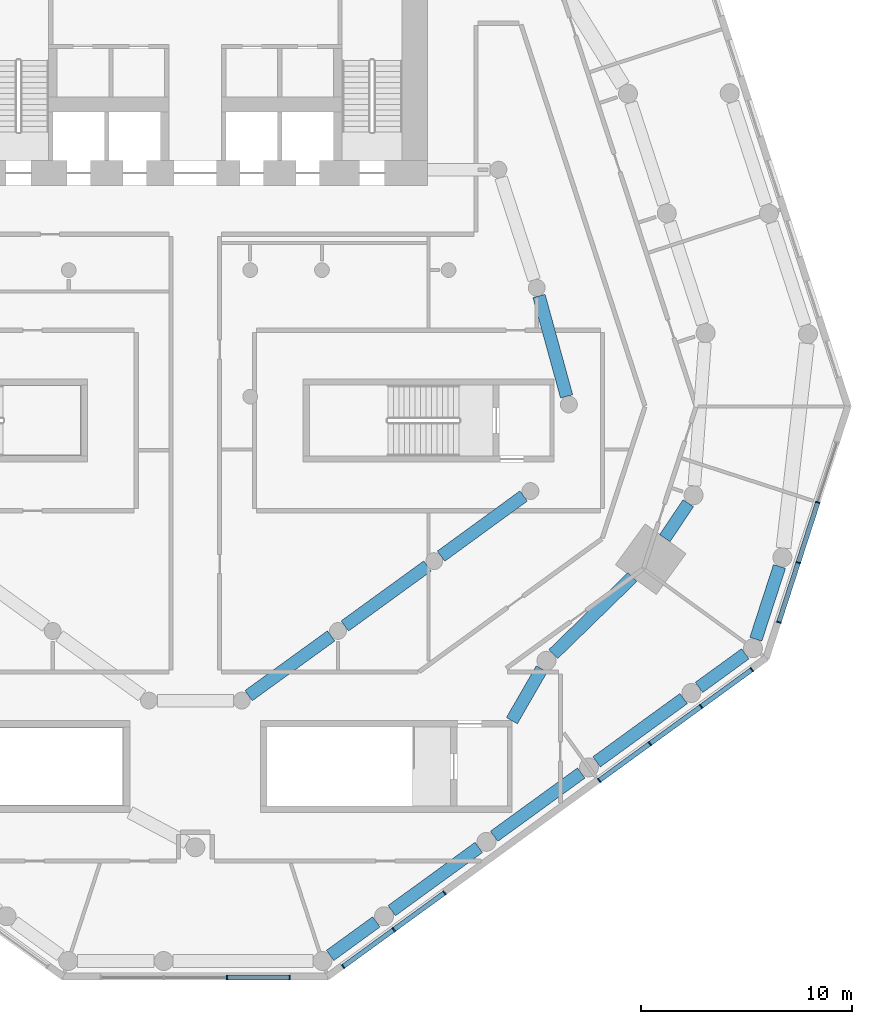
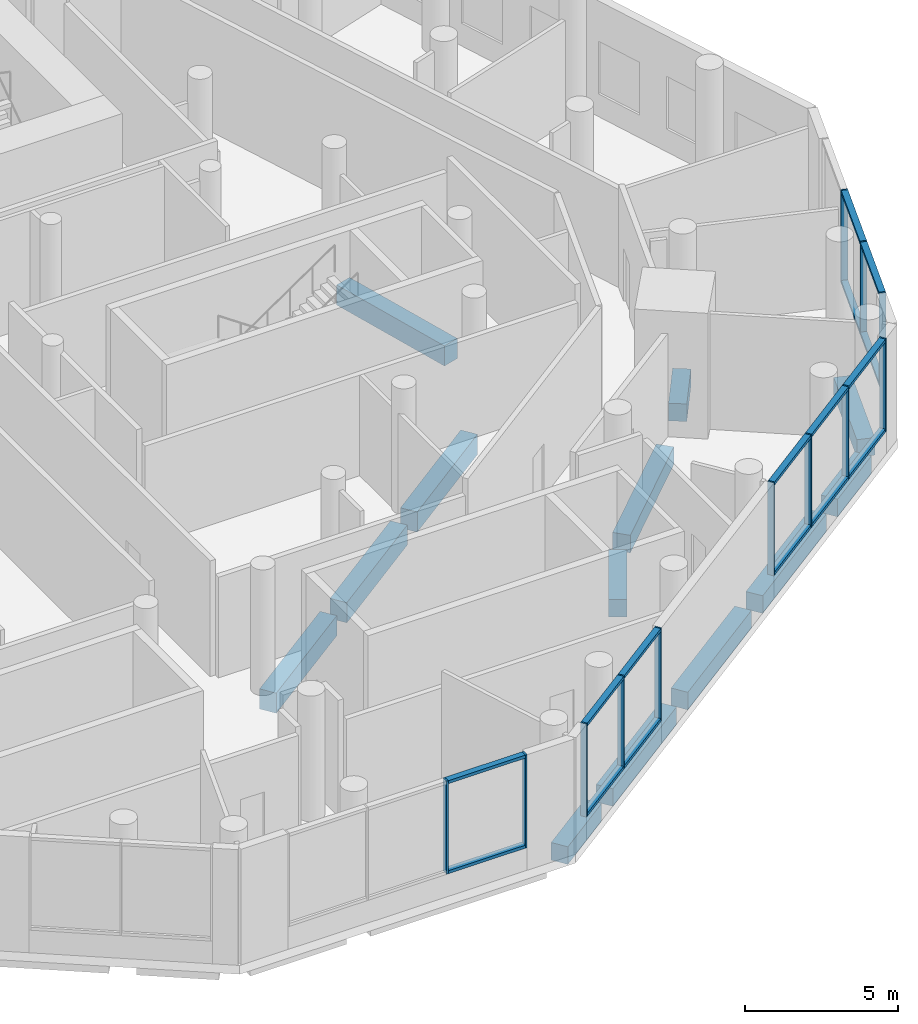
# One storey, part 4 of 15: 28 members, 13 beams, 4 elements without a shape of their own.
"""IFC4 building model written with IfcOpenShell, lengths in metres."""

from ifc_helpers import new_model, si_unit, direction, frame, origin, origin_2d, place, context, subcontext, project, spatial, rectangle, extrude, material, material_profile, profile_set, type_object, element, aggregate, save


model = new_model("IFC4")

# Units and contexts
model_context = context("Model", 3, precision=1e-05, world=origin(), true_north=direction((0.0, 1.0)))
body_context = subcontext(model_context, "Body", "Model", "MODEL_VIEW")
ifc_project = project(units=[si_unit("LENGTHUNIT", "METRE"), si_unit("AREAUNIT", "SQUARE_METRE"), si_unit("VOLUMEUNIT", "CUBIC_METRE"), si_unit("PLANEANGLEUNIT", "RADIAN"), si_unit("MASSUNIT", "GRAM", prefix="KILO")], contexts=[model_context])

# Site, building, storey
site_placement = place(None, origin())
site = spatial("IfcSite", under=ifc_project, at=site_placement, CompositionType="ELEMENT")
building_placement = place(site_placement, origin())
building = spatial("IfcBuilding", under=site, at=building_placement, Name="White Candle Pilgrim Tower", CompositionType="ELEMENT")
storey_placement = place(building_placement, frame((0.0, 0.0, 34.0)))
storey = spatial("IfcBuildingStorey", under=building, at=storey_placement, Name="L05", CompositionType="ELEMENT", Elevation=34.0)

# Curtain wall, members
ifc_material_1 = material(Name="Aluminium and glass", Category="aluminium")
curtain_wall_type = type_object("IfcCurtainWallType", Name="Curtain wall CW3 refectory and meeting glazing", PredefinedType="NOTDEFINED", material=ifc_material_1)
curtain_wall_1_placement = place(storey_placement, origin())
curtain_wall_1 = element("IfcCurtainWall", 1, at=curtain_wall_1_placement, inside=storey, type_object=curtain_wall_type, Name="Curtain wall CW3 L05 S chamfer", PredefinedType="NOTDEFINED")
ifc_material_2 = material(Name="Aluminium", Category="aluminium")
ifc_material_profile_1 = material_profile(ifc_material_2, rectangle(XDim=0.22509765625, YDim=0.06005859375, at=origin_2d()), Name="CW3 mullion 60x225")
ifc_profile_set_1 = profile_set([ifc_material_profile_1], Name="Aluminium")
member_type_1 = type_object("IfcMemberType", Name="CW3 mullion 60x225", PredefinedType="MULLION", material=ifc_profile_set_1)
member_1_placement = place(storey_placement, frame((71.5, 33.4736328125, 0.89990234375), z_axis=(0.0, 0.0, 1.0), x_axis=(0.0, 1.0, 0.0)))
member_1 = element("IfcMember", 2, at=member_1_placement, type_object=member_type_1, Name="CW3 mullion 3", PredefinedType="MULLION", context=body_context, shape_type="SweptSolid", body=[
    extrude(rectangle(XDim=0.22509765625, YDim=0.06005859375, at=origin_2d()), origin(), (0.0, 0.0, 1.0), 3.7001953125),
])
member_2_placement = place(storey_placement, frame((74.469970703125, 33.4736328125, 0.89990234375), z_axis=(0.0, 0.0, 1.0), x_axis=(0.0, 1.0, 0.0)))
member_2 = element("IfcMember", 3, at=member_2_placement, type_object=member_type_1, Name="CW3 mullion 4", PredefinedType="MULLION", context=body_context, shape_type="SweptSolid", body=[
    extrude(rectangle(XDim=0.22509765625, YDim=0.06005859375, at=origin_2d()), origin(), (0.0, 0.0, 1.0), 3.7001953125),
])

curtain_wall_2_placement = place(storey_placement, origin())
curtain_wall_2 = element("IfcCurtainWall", 4, at=curtain_wall_2_placement, inside=storey, type_object=curtain_wall_type, Name="Curtain wall CW3 L05 SE", PredefinedType="NOTDEFINED")
member_3_placement = place(storey_placement, frame((77.001708984375, 33.998291015625, 0.89990234375), z_axis=(0.0, 0.0, 1.0), x_axis=(-0.587785250203, 0.809016995893, 0.0)))
member_3 = element("IfcMember", 5, at=member_3_placement, type_object=member_type_1, Name="CW3 mullion 1", PredefinedType="MULLION", context=body_context, shape_type="SweptSolid", body=[
    extrude(rectangle(XDim=0.22509765625, YDim=0.06005859375, at=origin_2d()), origin(), (0.0, 0.0, 1.0), 3.7001953125),
])
member_4_placement = place(storey_placement, frame((79.404541015625, 35.743896484375, 0.89990234375), z_axis=(0.0, 0.0, 1.0), x_axis=(-0.587785250203, 0.809016995893, 0.0)))
member_4 = element("IfcMember", 6, at=member_4_placement, type_object=member_type_1, Name="CW3 mullion 2", PredefinedType="MULLION", context=body_context, shape_type="SweptSolid", body=[
    extrude(rectangle(XDim=0.22509765625, YDim=0.06005859375, at=origin_2d()), origin(), (0.0, 0.0, 1.0), 3.7001953125),
])
member_5_placement = place(storey_placement, frame((81.807373046875, 37.48974609375, 0.89990234375), z_axis=(0.0, 0.0, 1.0), x_axis=(-0.587785250203, 0.809016995893, 0.0)))
member_5 = element("IfcMember", 7, at=member_5_placement, type_object=member_type_1, Name="CW3 mullion 3", PredefinedType="MULLION", context=body_context, shape_type="SweptSolid", body=[
    extrude(rectangle(XDim=0.22509765625, YDim=0.06005859375, at=origin_2d()), origin(), (0.0, 0.0, 1.0), 3.7001953125),
])

curtain_wall_3_placement = place(storey_placement, origin())
curtain_wall_3 = element("IfcCurtainWall", 8, at=curtain_wall_3_placement, inside=storey, type_object=curtain_wall_type, Name="Curtain wall CW3 L05 SE", PredefinedType="NOTDEFINED")
member_6_placement = place(storey_placement, frame((89.136962890625, 42.81494140625, 0.89990234375), z_axis=(0.0, 0.0, 1.0), x_axis=(-0.587785250217, 0.809016995883, 0.0)))
member_6 = element("IfcMember", 9, at=member_6_placement, type_object=member_type_1, Name="CW3 mullion 1", PredefinedType="MULLION", context=body_context, shape_type="SweptSolid", body=[
    extrude(rectangle(XDim=0.22509765625, YDim=0.06005859375, at=origin_2d()), origin(), (0.0, 0.0, 1.0), 3.7001953125),
])
member_7_placement = place(storey_placement, frame((91.539794921875, 44.560791015625, 0.89990234375), z_axis=(0.0, 0.0, 1.0), x_axis=(-0.587785250217, 0.809016995883, 0.0)))
member_7 = element("IfcMember", 10, at=member_7_placement, type_object=member_type_1, Name="CW3 mullion 2", PredefinedType="MULLION", context=body_context, shape_type="SweptSolid", body=[
    extrude(rectangle(XDim=0.22509765625, YDim=0.06005859375, at=origin_2d()), origin(), (0.0, 0.0, 1.0), 3.7001953125),
])
member_8_placement = place(storey_placement, frame((93.966796875, 46.32421875, 0.89990234375), z_axis=(0.0, 0.0, 1.0), x_axis=(-0.587785250217, 0.809016995883, 0.0)))
member_8 = element("IfcMember", 11, at=member_8_placement, type_object=member_type_1, Name="CW3 mullion 3", PredefinedType="MULLION", context=body_context, shape_type="SweptSolid", body=[
    extrude(rectangle(XDim=0.22509765625, YDim=0.06005859375, at=origin_2d()), origin(), (0.0, 0.0, 1.0), 3.7001953125),
])
member_9_placement = place(storey_placement, frame((96.36962890625, 48.06982421875, 0.89990234375), z_axis=(0.0, 0.0, 1.0), x_axis=(-0.587785250217, 0.809016995883, 0.0)))
member_9 = element("IfcMember", 12, at=member_9_placement, type_object=member_type_1, Name="CW3 mullion 4", PredefinedType="MULLION", context=body_context, shape_type="SweptSolid", body=[
    extrude(rectangle(XDim=0.22509765625, YDim=0.06005859375, at=origin_2d()), origin(), (0.0, 0.0, 1.0), 3.7001953125),
])

curtain_wall_4_placement = place(storey_placement, origin())
curtain_wall_4 = element("IfcCurtainWall", 13, at=curtain_wall_4_placement, inside=storey, type_object=curtain_wall_type, Name="Curtain wall CW3 L05 E chamfer", PredefinedType="NOTDEFINED")
member_10_placement = place(storey_placement, frame((97.651123046875, 50.315673828125, 0.89990234375), z_axis=(0.0, 0.0, 1.0), x_axis=(-0.951056528263, 0.309016957542, 0.0)))
member_10 = element("IfcMember", 14, at=member_10_placement, type_object=member_type_1, Name="CW3 mullion 1", PredefinedType="MULLION", context=body_context, shape_type="SweptSolid", body=[
    extrude(rectangle(XDim=0.22509765625, YDim=0.06005859375, at=origin_2d()), origin(), (0.0, 0.0, 1.0), 3.7001953125),
])
member_11_placement = place(storey_placement, frame((98.56884765625, 53.14013671875, 0.89990234375), z_axis=(0.0, 0.0, 1.0), x_axis=(-0.951056528263, 0.309016957542, 0.0)))
member_11 = element("IfcMember", 15, at=member_11_placement, type_object=member_type_1, Name="CW3 mullion 2", PredefinedType="MULLION", context=body_context, shape_type="SweptSolid", body=[
    extrude(rectangle(XDim=0.22509765625, YDim=0.06005859375, at=origin_2d()), origin(), (0.0, 0.0, 1.0), 3.7001953125),
])
member_12_placement = place(storey_placement, frame((99.495849609375, 55.993408203125, 0.89990234375), z_axis=(0.0, 0.0, 1.0), x_axis=(-0.951056528263, 0.309016957542, 0.0)))
member_12 = element("IfcMember", 16, at=member_12_placement, type_object=member_type_1, Name="CW3 mullion 3", PredefinedType="MULLION", context=body_context, shape_type="SweptSolid", body=[
    extrude(rectangle(XDim=0.22509765625, YDim=0.06005859375, at=origin_2d()), origin(), (0.0, 0.0, 1.0), 3.7001953125),
])

# Member
ifc_material_profile_2 = material_profile(ifc_material_2, rectangle(XDim=0.22509765625, YDim=0.1201171875, at=origin_2d()), Name="CW3 transom 120x225")
ifc_profile_set_2 = profile_set([ifc_material_profile_2], Name="Aluminium")
member_type_2 = type_object("IfcMemberType", Name="CW3 transom 120x225", PredefinedType="USERDEFINED", material=ifc_profile_set_2)
member_13_placement = place(storey_placement, frame((71.530029296875, 33.4736328125, 0.9599609375), z_axis=(1.0, 0.0, 0.0), x_axis=(0.0, 1.0, 0.0)))
member_13 = element("IfcMember", 17, at=member_13_placement, type_object=member_type_2, Name="CW3 transom 3.1", ObjectType="TRANSOM", PredefinedType="USERDEFINED", context=body_context, shape_type="SweptSolid", body=[
    extrude(rectangle(XDim=0.22509765625, YDim=0.1201171875, at=origin_2d()), origin(), (0.0, 0.0, 1.0), 2.909912109375),
])

member_14_placement = place(storey_placement, frame((71.530029296875, 33.4736328125, 4.5400390625), z_axis=(1.0, 0.0, 0.0), x_axis=(0.0, 1.0, 0.0)))
member_14 = element("IfcMember", 18, at=member_14_placement, type_object=member_type_2, Name="CW3 transom 3.2", ObjectType="TRANSOM", PredefinedType="USERDEFINED", context=body_context, shape_type="SweptSolid", body=[
    extrude(rectangle(XDim=0.22509765625, YDim=0.1201171875, at=origin_2d()), origin(), (0.0, 0.0, 1.0), 2.909912109375),
])

aggregate(curtain_wall_1, [member_1, member_2, member_13, member_14])

member_15_placement = place(storey_placement, frame((77.026123046875, 34.015869140625, 0.9599609375), z_axis=(0.809018973085, 0.587782528822, 0.0), x_axis=(-0.587782528822, 0.809018973085, 0.0)))
member_15 = element("IfcMember", 19, at=member_15_placement, type_object=member_type_2, Name="CW3 transom 1.1", ObjectType="TRANSOM", PredefinedType="USERDEFINED", context=body_context, shape_type="SweptSolid", body=[
    extrude(rectangle(XDim=0.22509765625, YDim=0.1201171875, at=origin_2d()), origin(), (0.0, 0.0, 1.0), 2.909912109375),
])

member_16_placement = place(storey_placement, frame((77.026123046875, 34.015869140625, 4.5400390625), z_axis=(0.809018973085, 0.587782528822, 0.0), x_axis=(-0.587782528822, 0.809018973085, 0.0)))
member_16 = element("IfcMember", 20, at=member_16_placement, type_object=member_type_2, Name="CW3 transom 1.2", ObjectType="TRANSOM", PredefinedType="USERDEFINED", context=body_context, shape_type="SweptSolid", body=[
    extrude(rectangle(XDim=0.22509765625, YDim=0.1201171875, at=origin_2d()), origin(), (0.0, 0.0, 1.0), 2.909912109375),
])

member_17_placement = place(storey_placement, frame((79.428955078125, 35.761474609375, 0.9599609375), z_axis=(0.808979077872, 0.587837436342, 0.0), x_axis=(-0.587837436342, 0.808979077872, 0.0)))
member_17 = element("IfcMember", 21, at=member_17_placement, type_object=member_type_2, Name="CW3 transom 2.1", ObjectType="TRANSOM", PredefinedType="USERDEFINED", context=body_context, shape_type="SweptSolid", body=[
    extrude(rectangle(XDim=0.22509765625, YDim=0.1201171875, at=origin_2d()), origin(), (0.0, 0.0, 1.0), 2.91015625),
])

member_18_placement = place(storey_placement, frame((79.428955078125, 35.761474609375, 4.5400390625), z_axis=(0.808979077872, 0.587837436342, 0.0), x_axis=(-0.587837436342, 0.808979077872, 0.0)))
member_18 = element("IfcMember", 22, at=member_18_placement, type_object=member_type_2, Name="CW3 transom 2.2", ObjectType="TRANSOM", PredefinedType="USERDEFINED", context=body_context, shape_type="SweptSolid", body=[
    extrude(rectangle(XDim=0.22509765625, YDim=0.1201171875, at=origin_2d()), origin(), (0.0, 0.0, 1.0), 2.91015625),
])

aggregate(curtain_wall_2, [member_3, member_4, member_5, member_15, member_16, member_17, member_18])

member_19_placement = place(storey_placement, frame((89.161376953125, 42.832763671875, 0.9599609375), z_axis=(0.809018973085, 0.587782528822, 0.0), x_axis=(-0.587782528822, 0.809018973085, 0.0)))
member_19 = element("IfcMember", 23, at=member_19_placement, type_object=member_type_2, Name="CW3 transom 1.1", ObjectType="TRANSOM", PredefinedType="USERDEFINED", context=body_context, shape_type="SweptSolid", body=[
    extrude(rectangle(XDim=0.22509765625, YDim=0.1201171875, at=origin_2d()), origin(), (0.0, 0.0, 1.0), 2.909912109375),
])

member_20_placement = place(storey_placement, frame((89.161376953125, 42.832763671875, 4.5400390625), z_axis=(0.809018973085, 0.587782528822, 0.0), x_axis=(-0.587782528822, 0.809018973085, 0.0)))
member_20 = element("IfcMember", 24, at=member_20_placement, type_object=member_type_2, Name="CW3 transom 1.2", ObjectType="TRANSOM", PredefinedType="USERDEFINED", context=body_context, shape_type="SweptSolid", body=[
    extrude(rectangle(XDim=0.22509765625, YDim=0.1201171875, at=origin_2d()), origin(), (0.0, 0.0, 1.0), 2.909912109375),
])

member_21_placement = place(storey_placement, frame((91.564208984375, 44.578369140625, 0.9599609375), z_axis=(0.809016098264, 0.587786485682, 0.0), x_axis=(-0.587786485682, 0.809016098264, 0.0)))
member_21 = element("IfcMember", 25, at=member_21_placement, type_object=member_type_2, Name="CW3 transom 2.1", ObjectType="TRANSOM", PredefinedType="USERDEFINED", context=body_context, shape_type="SweptSolid", body=[
    extrude(rectangle(XDim=0.22509765625, YDim=0.1201171875, at=origin_2d()), origin(), (0.0, 0.0, 1.0), 2.93994140625),
])

member_22_placement = place(storey_placement, frame((91.564208984375, 44.578369140625, 4.5400390625), z_axis=(0.809016098264, 0.587786485682, 0.0), x_axis=(-0.587786485682, 0.809016098264, 0.0)))
member_22 = element("IfcMember", 26, at=member_22_placement, type_object=member_type_2, Name="CW3 transom 2.2", ObjectType="TRANSOM", PredefinedType="USERDEFINED", context=body_context, shape_type="SweptSolid", body=[
    extrude(rectangle(XDim=0.22509765625, YDim=0.1201171875, at=origin_2d()), origin(), (0.0, 0.0, 1.0), 2.93994140625),
])

member_23_placement = place(storey_placement, frame((93.9912109375, 46.341796875, 0.9599609375), z_axis=(0.809018973085, 0.587782528822, 0.0), x_axis=(-0.587782528822, 0.809018973085, 0.0)))
member_23 = element("IfcMember", 27, at=member_23_placement, type_object=member_type_2, Name="CW3 transom 3.1", ObjectType="TRANSOM", PredefinedType="USERDEFINED", context=body_context, shape_type="SweptSolid", body=[
    extrude(rectangle(XDim=0.22509765625, YDim=0.1201171875, at=origin_2d()), origin(), (0.0, 0.0, 1.0), 2.909912109375),
])

member_24_placement = place(storey_placement, frame((93.9912109375, 46.341796875, 4.5400390625), z_axis=(0.809018973085, 0.587782528822, 0.0), x_axis=(-0.587782528822, 0.809018973085, 0.0)))
member_24 = element("IfcMember", 28, at=member_24_placement, type_object=member_type_2, Name="CW3 transom 3.2", ObjectType="TRANSOM", PredefinedType="USERDEFINED", context=body_context, shape_type="SweptSolid", body=[
    extrude(rectangle(XDim=0.22509765625, YDim=0.1201171875, at=origin_2d()), origin(), (0.0, 0.0, 1.0), 2.909912109375),
])

aggregate(curtain_wall_3, [member_6, member_7, member_8, member_9, member_19, member_20, member_21, member_22, member_23, member_24])

member_25_placement = place(storey_placement, frame((97.660400390625, 50.34423828125, 0.9599609375), z_axis=(0.308995011864, 0.951063658565, 0.0), x_axis=(-0.951063658565, 0.308995011864, 0.0)))
member_25 = element("IfcMember", 29, at=member_25_placement, type_object=member_type_2, Name="CW3 transom 1.1", ObjectType="TRANSOM", PredefinedType="USERDEFINED", context=body_context, shape_type="SweptSolid", body=[
    extrude(rectangle(XDim=0.22509765625, YDim=0.1201171875, at=origin_2d()), origin(), (0.0, 0.0, 1.0), 2.909912109375),
])

member_26_placement = place(storey_placement, frame((97.660400390625, 50.34423828125, 4.5400390625), z_axis=(0.308995011864, 0.951063658565, 0.0), x_axis=(-0.951063658565, 0.308995011864, 0.0)))
member_26 = element("IfcMember", 30, at=member_26_placement, type_object=member_type_2, Name="CW3 transom 1.2", ObjectType="TRANSOM", PredefinedType="USERDEFINED", context=body_context, shape_type="SweptSolid", body=[
    extrude(rectangle(XDim=0.22509765625, YDim=0.1201171875, at=origin_2d()), origin(), (0.0, 0.0, 1.0), 2.909912109375),
])

member_27_placement = place(storey_placement, frame((98.578125, 53.168701171875, 0.9599609375), z_axis=(0.30899406435, 0.951063966406, 0.0), x_axis=(-0.951063966406, 0.30899406435, 0.0)))
member_27 = element("IfcMember", 31, at=member_27_placement, type_object=member_type_2, Name="CW3 transom 2.1", ObjectType="TRANSOM", PredefinedType="USERDEFINED", context=body_context, shape_type="SweptSolid", body=[
    extrude(rectangle(XDim=0.22509765625, YDim=0.1201171875, at=origin_2d()), origin(), (0.0, 0.0, 1.0), 2.93994140625),
])

member_28_placement = place(storey_placement, frame((98.578125, 53.168701171875, 4.5400390625), z_axis=(0.30899406435, 0.951063966406, 0.0), x_axis=(-0.951063966406, 0.30899406435, 0.0)))
member_28 = element("IfcMember", 32, at=member_28_placement, type_object=member_type_2, Name="CW3 transom 2.2", ObjectType="TRANSOM", PredefinedType="USERDEFINED", context=body_context, shape_type="SweptSolid", body=[
    extrude(rectangle(XDim=0.22509765625, YDim=0.1201171875, at=origin_2d()), origin(), (0.0, 0.0, 1.0), 2.93994140625),
])

aggregate(curtain_wall_4, [member_10, member_11, member_12, member_25, member_26, member_27, member_28])

# Beams
ifc_material_3 = material(Name="Concrete C50/60", Category="concrete")
ifc_material_profile_3 = material_profile(ifc_material_3, rectangle(XDim=0.60009765625, YDim=0.800048828125, at=origin_2d()), Name="RC-BM 600x800")
ifc_profile_set_3 = profile_set([ifc_material_profile_3], Name="Concrete C50/60")
beam_type_1 = type_object("IfcBeamType", Name="Ring beam RC-BM 600x800 C50/60", PredefinedType="BEAM", material=ifc_profile_set_3)
beam_1_placement = place(storey_placement, frame((72.52392578125, 46.83447265625, -0.75), z_axis=(0.810124276712, 0.586258182273, 0.0), x_axis=(-0.586258182273, 0.810124276712, 0.0)))
element("IfcBeam", 33, at=beam_1_placement, inside=storey, type_object=beam_type_1, Name="L05 ring beam R05", PredefinedType="BEAM", context=body_context, shape_type="SweptSolid", body=[
    extrude(rectangle(XDim=0.60009765625, YDim=0.800048828125, at=origin_2d()), origin(), (0.0, 0.0, 1.0), 4.8291015625),
])
beam_2_placement = place(storey_placement, frame((77.08349609375, 50.135009765625, -0.75), z_axis=(0.809305595912, 0.587387821141, 0.0), x_axis=(-0.587387821141, 0.809305595912, 0.0)))
element("IfcBeam", 34, at=beam_2_placement, inside=storey, type_object=beam_type_1, Name="L05 ring beam R06", PredefinedType="BEAM", context=body_context, shape_type="SweptSolid", body=[
    extrude(rectangle(XDim=0.60009765625, YDim=0.800048828125, at=origin_2d()), origin(), (0.0, 0.0, 1.0), 4.835205078125),
])
beam_3_placement = place(storey_placement, frame((81.643310546875, 53.4453125, -0.75), z_axis=(0.808428473545, 0.588594430115, 0.0), x_axis=(-0.588594430115, 0.808428473545, 0.0)))
element("IfcBeam", 35, at=beam_3_placement, inside=storey, type_object=beam_type_1, Name="L05 ring beam R07", PredefinedType="BEAM", context=body_context, shape_type="SweptSolid", body=[
    extrude(rectangle(XDim=0.60009765625, YDim=0.800048828125, at=origin_2d()), origin(), (0.0, 0.0, 1.0), 4.841064453125),
])
beam_4_placement = place(storey_placement, frame((87.593994140625, 61.015625, -0.75), z_axis=(-0.265050703949, 0.964234475808, 0.0), x_axis=(-0.964234475808, -0.265050703949, 0.0)))
element("IfcBeam", 36, at=beam_4_placement, inside=storey, type_object=beam_type_1, Name="L05 ring beam R08", PredefinedType="BEAM", context=body_context, shape_type="SweptSolid", body=[
    extrude(rectangle(XDim=0.60009765625, YDim=0.800048828125, at=origin_2d()), origin(), (0.0, 0.0, 1.0), 4.935302734375),
])
ifc_material_profile_4 = material_profile(ifc_material_3, rectangle(XDim=0.60009765625, YDim=0.699951171875, at=origin_2d()), Name="RC-BM 600x700")
ifc_profile_set_4 = profile_set([ifc_material_profile_4], Name="Concrete C50/60")
beam_type_2 = type_object("IfcBeamType", Name="Spandrel beam RC-BM 600x700 C50/60", PredefinedType="BEAM", material=ifc_profile_set_4)
beam_5_placement = place(storey_placement, frame((86.4150390625, 48.100341796875, -0.699951171875), z_axis=(-0.500073465784, -0.865982984139, 0.0), x_axis=(0.865982984139, -0.500073465784, 0.0)))
element("IfcBeam", 37, at=beam_5_placement, inside=storey, type_object=beam_type_2, Name="L05 spandrel beam T05", PredefinedType="BEAM", context=body_context, shape_type="SweptSolid", body=[
    extrude(rectangle(XDim=0.60009765625, YDim=0.699951171875, at=origin_2d()), origin(), (0.0, 0.0, 1.0), 2.82958984375),
])
beam_6_placement = place(storey_placement, frame((86.96240234375, 48.8037109375, -0.699951171875), z_axis=(0.716431871675, 0.697657059914, 0.0), x_axis=(-0.697657059914, 0.716431871675, 0.0)))
element("IfcBeam", 38, at=beam_6_placement, inside=storey, type_object=beam_type_2, Name="L05 spandrel beam T06", PredefinedType="BEAM", context=body_context, shape_type="SweptSolid", body=[
    extrude(rectangle(XDim=0.60009765625, YDim=0.699951171875, at=origin_2d()), origin(), (0.0, 0.0, 1.0), 5.2275390625),
])
beam_7_placement = place(storey_placement, frame((92.248291015625, 54.297607421875, -0.699951171875), z_axis=(0.556617573138, 0.830768847077, 0.0), x_axis=(-0.830768847077, 0.556617573138, 0.0)))
element("IfcBeam", 39, at=beam_7_placement, inside=storey, type_object=beam_type_2, Name="L05 spandrel beam T07", PredefinedType="BEAM", context=body_context, shape_type="SweptSolid", body=[
    extrude(rectangle(XDim=0.60009765625, YDim=0.699951171875, at=origin_2d()), origin(), (0.0, 0.0, 1.0), 1.99658203125),
])
beam_8_placement = place(storey_placement, frame((76.387939453125, 34.525390625, -0.699951171875), z_axis=(0.809008975915, 0.587796288598, 0.0), x_axis=(-0.587796288598, 0.809008975915, 0.0)))
element("IfcBeam", 40, at=beam_8_placement, inside=storey, type_object=beam_type_2, Name="L05 spandrel beam C09", PredefinedType="BEAM", context=body_context, shape_type="SweptSolid", body=[
    extrude(rectangle(XDim=0.60009765625, YDim=0.699951171875, at=origin_2d()), origin(), (0.0, 0.0, 1.0), 2.707275390625),
])
beam_9_placement = place(storey_placement, frame((79.305908203125, 36.6455078125, -0.699951171875), z_axis=(0.80900095282, 0.587807330965, 0.0), x_axis=(-0.587807330965, 0.80900095282, 0.0)))
element("IfcBeam", 41, at=beam_9_placement, inside=storey, type_object=beam_type_2, Name="L05 spandrel beam C10", PredefinedType="BEAM", context=body_context, shape_type="SweptSolid", body=[
    extrude(rectangle(XDim=0.60009765625, YDim=0.699951171875, at=origin_2d()), origin(), (0.0, 0.0, 1.0), 5.100341796875),
])
beam_10_placement = place(storey_placement, frame((84.159912109375, 40.17236328125, -0.699951171875), z_axis=(0.809069240735, 0.587713334625, 0.0), x_axis=(-0.587713334625, 0.809069240735, 0.0)))
element("IfcBeam", 42, at=beam_10_placement, inside=storey, type_object=beam_type_2, Name="L05 spandrel beam C11", PredefinedType="BEAM", context=body_context, shape_type="SweptSolid", body=[
    extrude(rectangle(XDim=0.60009765625, YDim=0.699951171875, at=origin_2d()), origin(), (0.0, 0.0, 1.0), 5.099853515625),
])
beam_11_placement = place(storey_placement, frame((89.013916015625, 43.698486328125, -0.699951171875), z_axis=(0.80900095282, 0.587807330965, 0.0), x_axis=(-0.587807330965, 0.80900095282, 0.0)))
element("IfcBeam", 43, at=beam_11_placement, inside=storey, type_object=beam_type_2, Name="L05 spandrel beam C12", PredefinedType="BEAM", context=body_context, shape_type="SweptSolid", body=[
    extrude(rectangle(XDim=0.60009765625, YDim=0.699951171875, at=origin_2d()), origin(), (0.0, 0.0, 1.0), 5.100341796875),
])
beam_12_placement = place(storey_placement, frame((93.867919921875, 47.225341796875, -0.699951171875), z_axis=(0.809008975915, 0.587796288598, 0.0), x_axis=(-0.587796288598, 0.809008975915, 0.0)))
element("IfcBeam", 44, at=beam_12_placement, inside=storey, type_object=beam_type_2, Name="L05 spandrel beam C13", PredefinedType="BEAM", context=body_context, shape_type="SweptSolid", body=[
    extrude(rectangle(XDim=0.60009765625, YDim=0.699951171875, at=origin_2d()), origin(), (0.0, 0.0, 1.0), 2.707275390625),
])
beam_13_placement = place(storey_placement, frame((96.56103515625, 49.5087890625, -0.699951171875), z_axis=(0.308944435163, 0.951080089152, 0.0), x_axis=(-0.951080089152, 0.308944435163, 0.0)))
element("IfcBeam", 45, at=beam_13_placement, inside=storey, type_object=beam_type_2, Name="L05 spandrel beam C14", PredefinedType="BEAM", context=body_context, shape_type="SweptSolid", body=[
    extrude(rectangle(XDim=0.60009765625, YDim=0.699951171875, at=origin_2d()), origin(), (0.0, 0.0, 1.0), 3.624755859375),
])

save(model, "model.ifc")
